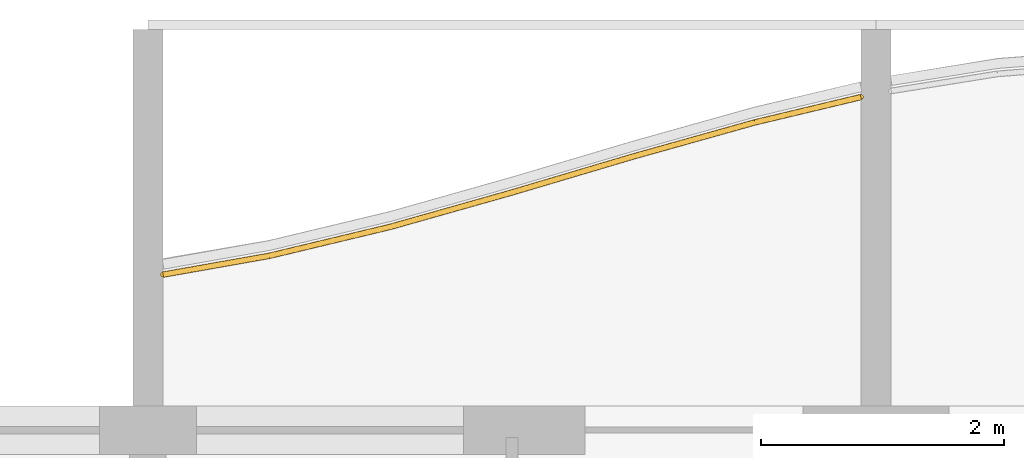
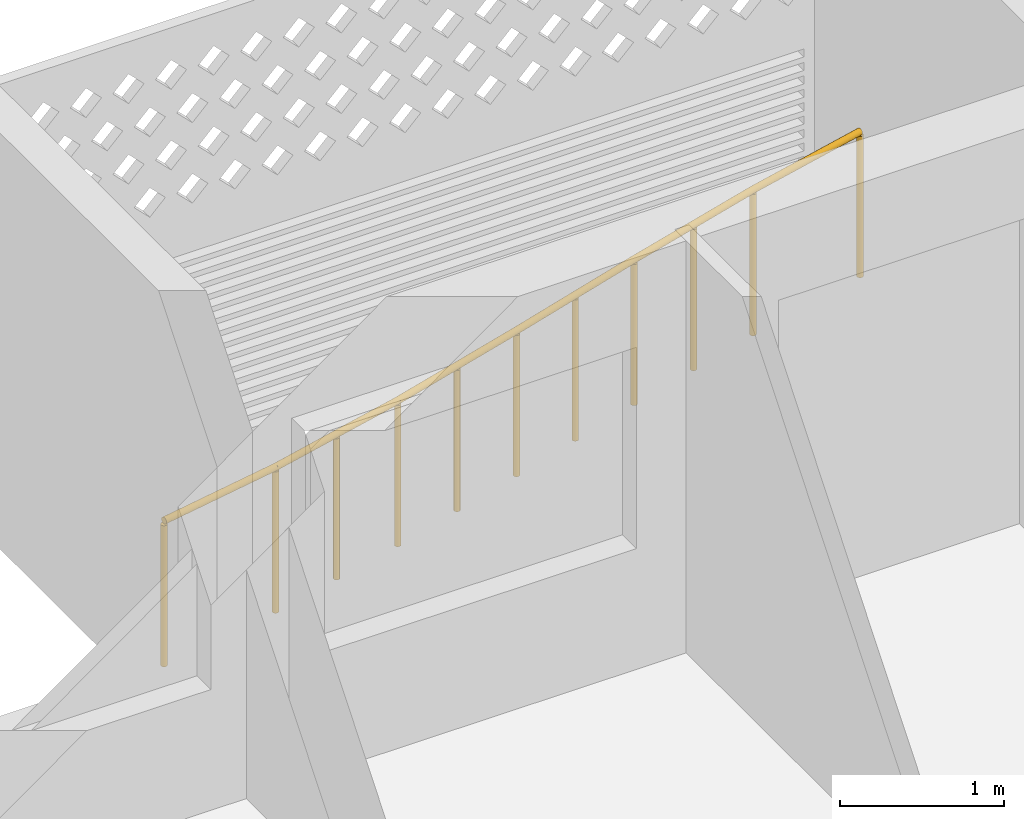
# One storey, part 22 of 31: 1 railing.
"""IFC4 building model written with IfcOpenShell, lengths in metres."""

import ifcopenshell
import ifcopenshell.guid

model = None  # the IFC model being written
_history = None  # IfcOwnerHistory: only IFC2X3 demands one
_inside = {}  # id of a spatial element -> (the spatial element, [elements in it])
_under = {}  # id of a project, library or spatial element -> (it, [spatial elements below it])
_declared = {}  # id of a project -> (the project, [libraries it declares])
_typed = {}  # id of a type object -> (the type object, [elements of that type])
_made_of = {}  # id of a material, layer set ... -> (it, [elements and type objects made of it])


def new_model(schema):
    """Start an empty IFC model of exactly this schema.

    Asked for "IFC4X3", IfcOpenShell would pick the latest addendum, in which some entities
    have other attributes; the version numbers below select the first issue.
    IFC2X3 requires an IfcOwnerHistory on every rooted entity: one is made here for all.
    """
    global model, _history
    if schema == "IFC4X3":
        model = ifcopenshell.file(schema_version=(4, 3, 0, 0))
    else:
        model = ifcopenshell.file(schema=schema)
    _inside.clear()
    _under.clear()
    _declared.clear()
    _typed.clear()
    _made_of.clear()
    _history = None
    if model.schema == "IFC2X3":
        org = make("IfcOrganization", Name="unknown")
        user = make(
            "IfcPersonAndOrganization",
            ThePerson=make("IfcPerson", FamilyName="unknown"),
            TheOrganization=org,
        )
        app = make(
            "IfcApplication",
            ApplicationDeveloper=org,
            Version="unknown",
            ApplicationFullName="unknown",
            ApplicationIdentifier="unknown",
        )
        _history = make(
            "IfcOwnerHistory",
            OwningUser=user,
            OwningApplication=app,
            ChangeAction="ADDED",
            CreationDate=0,
        )
    return model


def make(cls, **values):
    """One entity of the class cls with the attributes given. An attribute that is None is left unset."""
    return model.create_entity(
        cls, **{name: value for name, value in values.items() if value is not None}
    )


def rooted(cls, **values):
    """An entity with a GlobalId (a new one), such as an element, a storey or a relation."""
    return make(cls, GlobalId=ifcopenshell.guid.new(), OwnerHistory=_history, **values)


def si_unit(unit_type, name, prefix=None):
    """IfcSIUnit, for example si_unit("LENGTHUNIT", "METRE", prefix="MILLI")."""
    return make("IfcSIUnit", UnitType=unit_type, Prefix=prefix, Name=name)


def assignment(units):
    """IfcUnitAssignment: the units of a project."""
    return None if units is None else make("IfcUnitAssignment", Units=units)


def point(xyz):
    """IfcCartesianPoint."""
    return None if xyz is None else make("IfcCartesianPoint", Coordinates=xyz)


def direction(xyz):
    """IfcDirection."""
    return None if xyz is None else make("IfcDirection", DirectionRatios=xyz)


def frame(location, z_axis=None, x_axis=None):
    """IfcAxis2Placement3D, a coordinate frame: its origin and axes. An axis left out is left unset."""
    return make(
        "IfcAxis2Placement3D",
        Location=point(location),
        Axis=direction(z_axis),
        RefDirection=direction(x_axis),
    )


def frame_2d(location, x_axis=None):
    """IfcAxis2Placement2D, a coordinate frame in the plane: its origin and x axis."""
    return make(
        "IfcAxis2Placement2D", Location=point(location), RefDirection=direction(x_axis)
    )


def origin():
    """The frame at (0, 0, 0) with its axes left unset."""
    return frame((0.0, 0.0, 0.0))


def origin_2d():
    """The frame at (0, 0) in the plane with its x axis left unset."""
    return frame_2d((0.0, 0.0))


def place(relative_to, where):
    """IfcLocalPlacement: puts the frame where relative to a parent placement (None: the world)."""
    return make(
        "IfcLocalPlacement", PlacementRelTo=relative_to, RelativePlacement=where
    )


def context(
    kind, dimensions, precision=None, world=None, true_north=None, identifier=None
):
    """IfcGeometricRepresentationContext, for example the 3D "Model" context."""
    return make(
        "IfcGeometricRepresentationContext",
        ContextIdentifier=identifier,
        ContextType=kind,
        CoordinateSpaceDimension=dimensions,
        Precision=precision,
        WorldCoordinateSystem=world,
        TrueNorth=true_north,
    )


def subcontext(parent, identifier, kind, view, scale=None):
    """IfcGeometricRepresentationSubContext, for example "Body" below "Model"."""
    return make(
        "IfcGeometricRepresentationSubContext",
        ContextIdentifier=identifier,
        ContextType=kind,
        ParentContext=parent,
        TargetScale=scale,
        TargetView=view,
    )


def project(units=None, contexts=None):
    """IfcProject with its units and contexts."""
    return rooted(
        "IfcProject",
        Name="project",
        RepresentationContexts=contexts,
        UnitsInContext=assignment(units),
    )


def spatial(cls, under=None, at=None, **own):
    """A site, building, storey or space (cls), placed at a placement, below another one or the project."""
    s = rooted(cls, ObjectPlacement=at, **own)
    if under is not None:
        _under.setdefault(under.id(), (under, []))[1].append(s)
    return s


def profile(cls, at=None, kind="AREA", **sizes):
    """A parametric profile (cls). Its sizes go by their IFC names, for example OverallWidth=200.0."""
    return make(cls, ProfileType=kind, Position=at, **sizes)


def circle(**sizes):
    """IfcCircleProfileDef."""
    return profile("IfcCircleProfileDef", **sizes)


def extrude(swept, where, along, depth):
    """IfcExtrudedAreaSolid: the profile swept, set in the frame where, extruded along a direction by depth."""
    return make(
        "IfcExtrudedAreaSolid",
        SweptArea=swept,
        Position=where,
        ExtrudedDirection=direction(along),
        Depth=depth,
    )


def shape(context_of_items, identifier, shape_type, items):
    """IfcShapeRepresentation: the items that make up one representation, for example the "Body"."""
    return make(
        "IfcShapeRepresentation",
        ContextOfItems=context_of_items,
        RepresentationIdentifier=identifier,
        RepresentationType=shape_type,
        Items=items,
    )


def material(Name=None, Category=None):
    """IfcMaterial."""
    return make("IfcMaterial", Name=Name, Category=Category)


def made_of(thing, what):
    """Note that an element or type object is made of a material, layer set ...; save() writes the relation."""
    if what is not None:
        _made_of.setdefault(what.id(), (what, []))[1].append(thing)
    return thing


def type_object(cls, material=None, **own):
    """A type object (cls), such as IfcWallType, which elements share."""
    return made_of(rooted(cls, **own), material)


def element(
    cls,
    number,
    at=None,
    inside=None,
    cuts=None,
    type_object=None,
    material=None,
    context=None,
    identifier="Body",
    shape_type=None,
    held_by="IfcProductDefinitionShape",
    body=None,
    shapes=None,
    **own,
):
    """One element of the class cls, such as IfcWall. Its Tag is "e" and its number.

    at: its placement. inside: the storey or other place that contains it. cuts: it is an
    opening in that element (IfcRelVoidsElement). A single representation is given by context,
    identifier, shape_type and body (its items); several are given by shapes. held_by: the class
    of the entity that holds the representations. save() writes the other relations.
    """
    e = rooted(cls, Tag="e%d" % number, ObjectPlacement=at, **own)
    if body is not None:
        shapes = [shape(context, identifier, shape_type, body)]
    if shapes is not None:
        e.Representation = make(held_by, Representations=shapes)
    if inside is not None:
        _inside.setdefault(inside.id(), (inside, []))[1].append(e)
    if cuts is not None:
        rooted(
            "IfcRelVoidsElement", RelatingBuildingElement=cuts, RelatedOpeningElement=e
        )
    if type_object is not None:
        _typed.setdefault(type_object.id(), (type_object, []))[1].append(e)
    return made_of(e, material)


def aggregate(whole, parts):
    """IfcRelAggregates: a whole, such as a stair, and the parts it consists of."""
    return rooted("IfcRelAggregates", RelatingObject=whole, RelatedObjects=parts)


def save(model, path):
    """Write the relations noted so far, then the file.

    IfcRelAggregates (storeys below a building ...), IfcRelContainedInSpatialStructure (elements
    in a storey), IfcRelDefinesByType, IfcRelAssociatesMaterial and IfcRelDeclares: one each for
    every whole, place, type object, material and project.
    """
    for whole, parts in _under.values():
        aggregate(whole, parts)
    for where, things in _inside.values():
        rooted(
            "IfcRelContainedInSpatialStructure",
            RelatedElements=things,
            RelatingStructure=where,
        )
    for kind, things in _typed.values():
        rooted("IfcRelDefinesByType", RelatedObjects=things, RelatingType=kind)
    for what, things in _made_of.values():
        rooted("IfcRelAssociatesMaterial", RelatedObjects=things, RelatingMaterial=what)
    for by, libraries in _declared.values():
        rooted("IfcRelDeclares", RelatingContext=by, RelatedDefinitions=libraries)
    model.write(path)


model = new_model("IFC4")

# Units and contexts
model_context = context("Model", 3, precision=1e-05, world=origin(), true_north=direction((0.0, 1.0)))
body_context = subcontext(model_context, "Body", "Model", "MODEL_VIEW")
ifc_project = project(units=[si_unit("LENGTHUNIT", "METRE"), si_unit("AREAUNIT", "SQUARE_METRE"), si_unit("VOLUMEUNIT", "CUBIC_METRE"), si_unit("PLANEANGLEUNIT", "RADIAN"), si_unit("MASSUNIT", "GRAM", prefix="KILO")], contexts=[model_context])

# Site, building, storey
site_placement = place(None, origin())
site = spatial("IfcSite", under=ifc_project, at=site_placement, CompositionType="ELEMENT")
building_placement = place(site_placement, origin())
building = spatial("IfcBuilding", under=site, at=building_placement, Name="Poui Terraces", CompositionType="ELEMENT")
storey_placement = place(building_placement, frame((0.0, 0.0, 145.5)))
storey = spatial("IfcBuildingStorey", under=building, at=storey_placement, Name="L40", CompositionType="ELEMENT", Elevation=145.5)

# Railing
ifc_material = material(Name="Painted steel fretwork", Category="steel")
railing_type = type_object("IfcRailingType", Name="BALCONY GUARD 1100", PredefinedType="GUARDRAIL", material=ifc_material)
railing_placement = place(storey_placement, frame((48.125, 43.681884765625, 0.0)))
element("IfcRailing", 1, at=railing_placement, inside=storey, type_object=railing_type, Name="BALCONY GUARD", PredefinedType="GUARDRAIL", context=body_context, shape_type="SweptSolid", body=[
    extrude(circle(Radius=0.02392578125, at=origin_2d()), frame((0.0, 0.0, 1.076171875), z_axis=(0.984711559518, 0.174192837258, 0.0), x_axis=(-0.174192837258, 0.984711559518, 0.0)), (0.0, 0.0, 1.0), 0.888671875),
    extrude(circle(Radius=0.02392578125, at=origin_2d()), frame((0.875, 0.15478515625, 1.076171875), z_axis=(0.972497106951, 0.232914956523, 0.0), x_axis=(-0.232914956523, 0.972497106951, 0.0)), (0.0, 0.0, 1.0), 1.0283203125),
    extrude(circle(Radius=0.02392578125, at=origin_2d()), frame((1.875, 0.394287109375, 1.076171875), z_axis=(0.962282666556, 0.272051593719, 0.0), x_axis=(-0.272051593719, 0.962282666556, 0.0)), (0.0, 0.0, 1.0), 1.039306640625),
    extrude(circle(Radius=0.02392578125, at=origin_2d()), frame((2.875, 0.677001953125, 1.076171875), z_axis=(0.958710700624, 0.284383179018, 0.0), x_axis=(-0.284383179018, 0.958710700624, 0.0)), (0.0, 0.0, 1.0), 1.04296875),
    extrude(circle(Radius=0.02392578125, at=origin_2d()), frame((3.875, 0.9736328125, 1.076171875), z_axis=(0.962895626656, 0.269874067237, 0.0), x_axis=(-0.269874067237, 0.962895626656, 0.0)), (0.0, 0.0, 1.0), 1.03857421875),
    extrude(circle(Radius=0.02392578125, at=origin_2d()), frame((4.875, 1.25390625, 1.076171875), z_axis=(0.972642909815, 0.232305337835, 0.0), x_axis=(-0.232305337835, 0.972642909815, 0.0)), (0.0, 0.0, 1.0), 0.899658203125),
    extrude(circle(Radius=0.02099609375, at=origin_2d()), origin(), (0.0, 0.0, 1.0), 1.052001953125),
    extrude(circle(Radius=0.02099609375, at=origin_2d()), frame((0.875, 0.15478515625, 0.0)), (0.0, 0.0, 1.0), 1.052001953125),
    extrude(circle(Radius=0.02099609375, at=origin_2d()), frame((1.375, 0.2744140625, 0.0)), (0.0, 0.0, 1.0), 1.052001953125),
    extrude(circle(Radius=0.02099609375, at=origin_2d()), frame((1.875, 0.394287109375, 0.0)), (0.0, 0.0, 1.0), 1.052001953125),
    extrude(circle(Radius=0.02099609375, at=origin_2d()), frame((2.375, 0.53564453125, 0.0)), (0.0, 0.0, 1.0), 1.052001953125),
    extrude(circle(Radius=0.02099609375, at=origin_2d()), frame((2.875, 0.677001953125, 0.0)), (0.0, 0.0, 1.0), 1.052001953125),
    extrude(circle(Radius=0.02099609375, at=origin_2d()), frame((3.375, 0.8251953125, 0.0)), (0.0, 0.0, 1.0), 1.052001953125),
    extrude(circle(Radius=0.02099609375, at=origin_2d()), frame((3.875, 0.9736328125, 0.0)), (0.0, 0.0, 1.0), 1.052001953125),
    extrude(circle(Radius=0.02099609375, at=origin_2d()), frame((4.375, 1.11376953125, 0.0)), (0.0, 0.0, 1.0), 1.052001953125),
    extrude(circle(Radius=0.02099609375, at=origin_2d()), frame((4.875, 1.25390625, 0.0)), (0.0, 0.0, 1.0), 1.052001953125),
    extrude(circle(Radius=0.02099609375, at=origin_2d()), frame((5.75, 1.462890625, 0.0)), (0.0, 0.0, 1.0), 1.052001953125),
])

save(model, "model.ifc")
